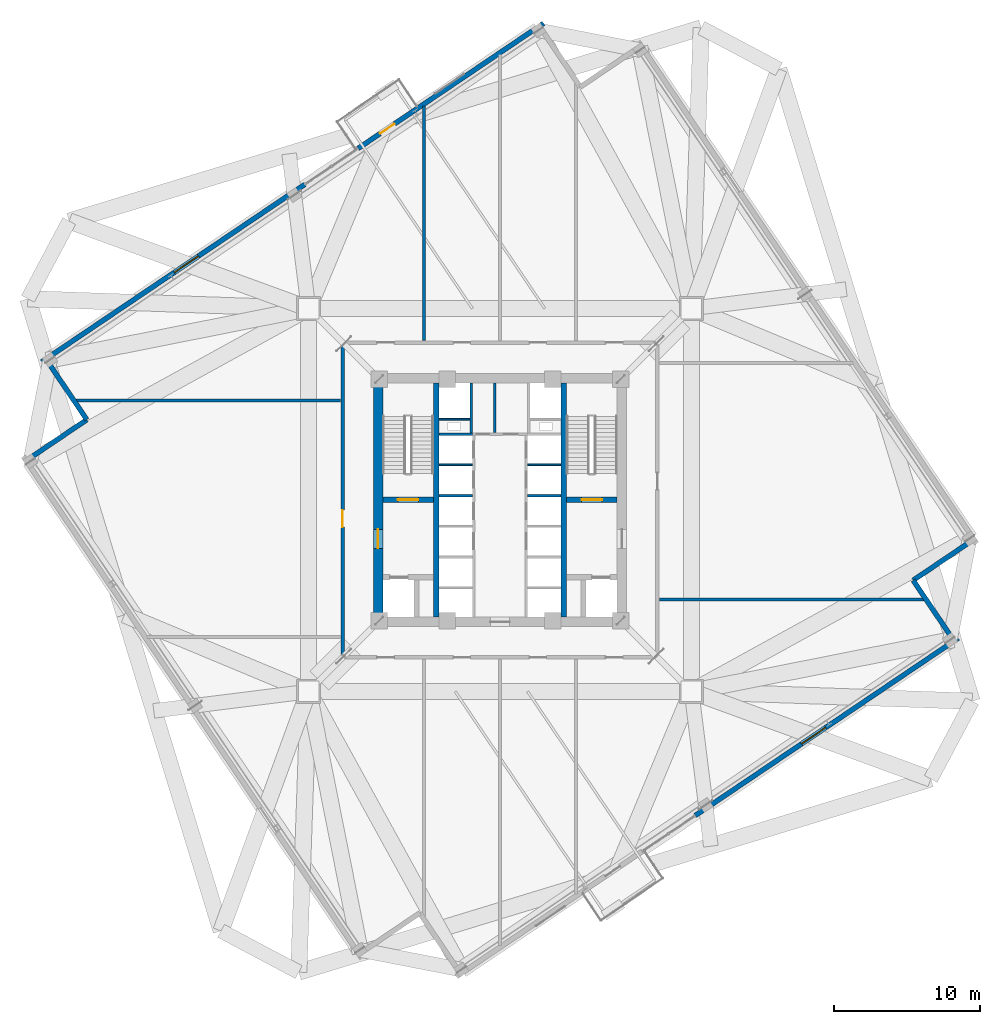
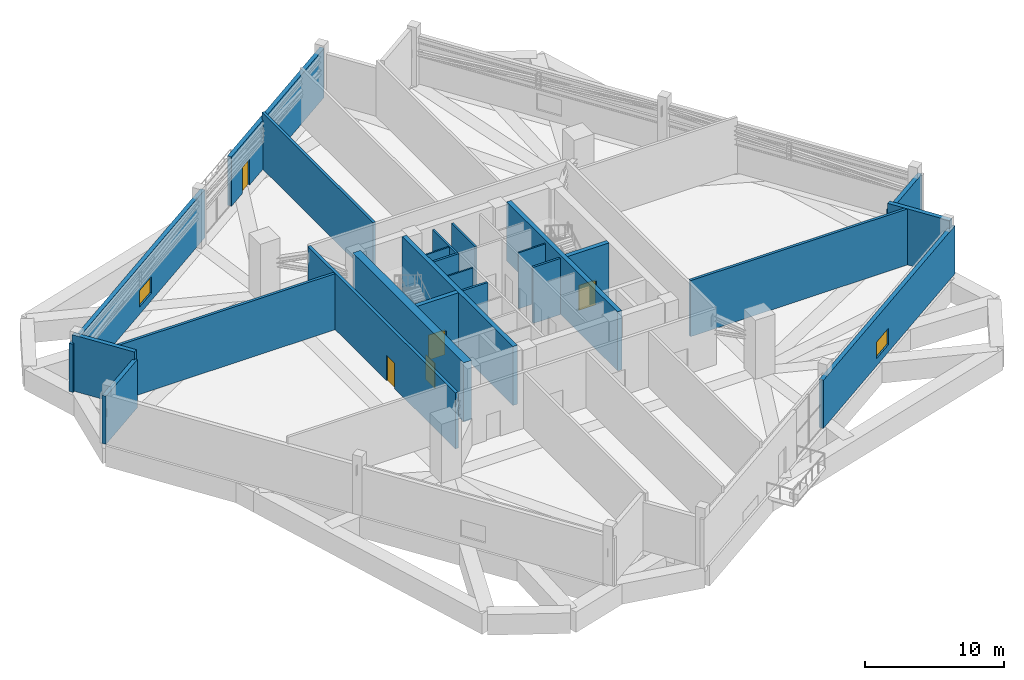
# One storey, part 17 of 21: 24 walls, 5 doors, 2 windows, 7 openings.
"""IFC4 building model written with IfcOpenShell, lengths in metres."""

from ifc_helpers import new_model, si_unit, direction, frame, frame_2d, origin, place, context, subcontext, project, spatial, rectangle, extrude, source, transform, mapped, material, layer, layer_set, type_object, element, fill, save


model = new_model("IFC4")

# Units and contexts
model_context = context("Model", 3, precision=1e-05, world=origin(), true_north=direction((0.0, 1.0)))
body_context = subcontext(model_context, "Body", "Model", "MODEL_VIEW")
ifc_project = project(units=[si_unit("LENGTHUNIT", "METRE"), si_unit("AREAUNIT", "SQUARE_METRE"), si_unit("VOLUMEUNIT", "CUBIC_METRE"), si_unit("PLANEANGLEUNIT", "RADIAN"), si_unit("MASSUNIT", "GRAM", prefix="KILO"), si_unit("THERMODYNAMICTEMPERATUREUNIT", "KELVIN")], contexts=[model_context])

# Site, building, storey
site_placement = place(None, origin())
site = spatial("IfcSite", under=ifc_project, at=site_placement, CompositionType="ELEMENT")
building_placement = place(site_placement, origin())
building = spatial("IfcBuilding", under=site, at=building_placement, Name="Kosmvard Interchange Tower", CompositionType="ELEMENT")
storey_placement = place(building_placement, frame((0.0, 0.0, 139.199951171875)))
storey = spatial("IfcBuildingStorey", under=building, at=storey_placement, Name="L33", CompositionType="ELEMENT", Elevation=139.199951171875)

# Walls
ifc_material_1 = material(Name="Fire-rated gypsum partition system")
ifc_layer_1 = layer(ifc_material_1, 0.159912109375, Name="Fire-rated gypsum partition system")
ifc_layer_set_1 = layer_set([ifc_layer_1], Name="Fire-rated gypsum partition system")
wall_type_1 = type_object("IfcWallType", Name="Core Compartment & Shuttle Lobby Partition 160", PredefinedType="PARTITIONING", material=ifc_layer_set_1)
wall_1_placement = place(storey_placement, frame((-1.9599609375, 4.580078125, 0.0), z_axis=(0.0, 0.0, 1.0), x_axis=(0.0, 1.0, 0.0)))
element("IfcWall", 1, at=wall_1_placement, inside=storey, type_object=wall_type_1, Name="L33 North Core West Wall", PredefinedType="PARTITIONING", context=body_context, shape_type="SweptSolid", body=[
    extrude(rectangle(XDim=3.39990234375, YDim=0.159912109375, at=frame_2d((1.699951171875, 0.0))), origin(), (0.0, 0.0, 1.0), 4.93994140625),
])
ifc_material_2 = material(Name="Concrete blockwork masonry", Category="masonry")
ifc_layer_2 = layer(ifc_material_2, 0.159912109375, Name="Concrete blockwork masonry")
ifc_layer_set_2 = layer_set([ifc_layer_2], Name="Concrete blockwork masonry")
wall_type_2 = type_object("IfcWallType", Name="Core Enclosure Split Wall 160", PredefinedType="PARTITIONING", material=ifc_layer_set_2)
wall_2_placement = place(storey_placement, frame((-0.35009765625, 4.60009765625, 0.0), z_axis=(0.0, 0.0, 1.0), x_axis=(0.0, 1.0, 0.0)))
element("IfcWall", 2, at=wall_2_placement, inside=storey, type_object=wall_type_2, Name="L33 Core K2 Split Wall", PredefinedType="PARTITIONING", context=body_context, shape_type="SweptSolid", body=[
    extrude(rectangle(XDim=3.3798828125, YDim=0.159912109375, at=frame_2d((1.68994140625, 0.0))), origin(), (0.0, 0.0, 1.0), 4.93994140625),
])

# Wall, opening, door
ifc_layer_3 = layer(ifc_material_2, 0.25, Name="Concrete blockwork masonry")
ifc_layer_set_3 = layer_set([ifc_layer_3], Name="Concrete blockwork masonry")
wall_type_3 = type_object("IfcWallType", Name="Exit Passage & Firefighting Lobby Wall 250", PredefinedType="PARTITIONING", material=ifc_layer_set_3)
wall_3_placement = place(storey_placement, frame((-10.75, -10.64990234375, 0.0), z_axis=(0.0, 0.0, 1.0), x_axis=(0.0, 1.0, 0.0)))
wall_3 = element("IfcWall", 3, at=wall_3_placement, inside=storey, type_object=wall_type_3, Name="L33 Corridor Wall CW", PredefinedType="PARTITIONING", context=body_context, shape_type="SweptSolid", body=[
    extrude(rectangle(XDim=21.2998046875, YDim=0.25, at=frame_2d((10.64990234375, 0.0))), origin(), (0.0, 0.0, 1.0), 4.93994140625),
])
opening_1_placement = place(wall_3_placement, frame((8.800048828125, 0.0, 0.0)))
opening_1 = element("IfcOpeningElement", 4, at=opening_1_placement, cuts=wall_3, Name="Opening L33-D10", PredefinedType="OPENING", context=body_context, shape_type="SweptSolid", body=[
    extrude(rectangle(XDim=1.14990234375, YDim=2.25, at=frame_2d((0.574951171875, 1.125))), frame((0.0, 0.135009765625, 0.0), z_axis=(0.0, -1.0, 0.0), x_axis=(1.0, 0.0, 0.0)), (0.0, 0.0, 1.0), 0.27001953125),
])
ifc_material_3 = material(Name="Painted fire-rated steel leaf", Category="steel")
door_type_1 = type_object("IfcDoorType", Name="Plant & Riser Fire Door 1150x2250 EI60", OperationType="NOTDEFINED", PredefinedType="DOOR", material=ifc_material_3)
shared_shape_1 = source(origin(), body_context, "Body", "SweptSolid", [
    extrude(rectangle(XDim=1.14990234375, YDim=2.25, at=frame_2d((0.574951171875, 1.125))), frame((0.0, 0.02490234375, 0.0), z_axis=(0.0, -1.0, 0.0), x_axis=(1.0, 0.0, 0.0)), (0.0, 0.0, 1.0), 0.050048828125),
])
door_1_placement = place(opening_1_placement, origin())
door_1 = element("IfcDoor", 5, at=door_1_placement, inside=storey, type_object=door_type_1, Name="L33 Refuge Area West Door", OperationType="SINGLE_SWING_RIGHT", OverallHeight=2.25, OverallWidth=1.14990234375, PredefinedType="DOOR", context=body_context, shape_type="MappedRepresentation", body=[
    mapped(shared_shape_1, transform((0.0, 0.0, 0.0), scale=1.0)),
])
fill(opening_1, door_1)

ifc_material_4 = material(Name="Concrete C70/85", Category="concrete")
ifc_layer_4 = layer(ifc_material_4, 0.64990234375, Name="Concrete C70/85")
ifc_layer_set_4 = layer_set([ifc_layer_4], Name="Concrete C70/85")
wall_type_4 = type_object("IfcWallType", Name="Mid Core Shear Wall 650 C70/85", PredefinedType="SHEAR", material=ifc_layer_set_4)
wall_4_placement = place(storey_placement, frame((-8.324951171875, -8.0, 0.0), z_axis=(0.0, 0.0, 1.0), x_axis=(0.0, 1.0, 0.0)))
wall_4 = element("IfcWall", 6, at=wall_4_placement, inside=storey, type_object=wall_type_4, Name="L33 Core Shear Wall CW-W", PredefinedType="SHEAR", context=body_context, shape_type="SweptSolid", body=[
    extrude(rectangle(XDim=16.0, YDim=0.64990234375, at=frame_2d((8.0, 0.0))), origin(), (0.0, 0.0, 1.0), 5.199951171875),
])
opening_2_placement = place(wall_4_placement, frame((4.68994140625, 0.0, 0.0)))
opening_2 = element("IfcOpeningElement", 7, at=opening_2_placement, cuts=wall_4, Name="Opening L33-FD1", PredefinedType="OPENING", context=body_context, shape_type="SweptSolid", body=[
    extrude(rectangle(XDim=1.300048828125, YDim=2.199951171875, at=frame_2d((0.64990234375, 1.10009765625))), frame((0.0, 0.3349609375, 0.0), z_axis=(0.0, -1.0, 0.0), x_axis=(1.0, 0.0, 0.0)), (0.0, 0.0, 1.0), 0.669921875),
])
door_type_2 = type_object("IfcDoorType", Name="Firefighting Lobby Door 1300x2200 EI60", OperationType="NOTDEFINED", PredefinedType="DOOR", material=ifc_material_3)
shared_shape_2 = source(origin(), body_context, "Body", "SweptSolid", [
    extrude(rectangle(XDim=1.300048828125, YDim=2.199951171875, at=frame_2d((0.64990234375, 1.10009765625))), frame((0.0, 0.02490234375, 0.0), z_axis=(0.0, -1.0, 0.0), x_axis=(1.0, 0.0, 0.0)), (0.0, 0.0, 1.0), 0.050048828125),
])
door_2_placement = place(opening_2_placement, frame((1.300048828125, 0.0, 0.0), z_axis=(0.0, 0.0, 1.0), x_axis=(-1.0, 0.0, 0.0)))
door_2 = element("IfcDoor", 8, at=door_2_placement, inside=storey, type_object=door_type_2, Name="L33 Firefighting Lobby West Door", OperationType="SINGLE_SWING_LEFT", OverallHeight=2.199951171875, OverallWidth=1.300048828125, PredefinedType="DOOR", context=body_context, shape_type="MappedRepresentation", body=[
    mapped(shared_shape_2, transform((0.0, 0.0, 0.0), scale=1.0)),
])
fill(opening_2, door_2)

# Walls
ifc_material_5 = material(Name="Precast concrete C45/55", Category="concrete")
ifc_layer_5 = layer(ifc_material_5, 0.340087890625, Name="Precast concrete C45/55")
ifc_layer_set_5 = layer_set([ifc_layer_5], Name="Precast concrete C45/55")
wall_type_5 = type_object("IfcWallType", Name="Mid Tower Precast Pier Wall 340 C45/55", PredefinedType="STANDARD", material=ifc_layer_set_5)
wall_5_placement = place(storey_placement, frame((31.018798828125, -9.631103515625, 0.0), z_axis=(0.0, 0.0, 1.0), x_axis=(-0.559210350234, 0.829025804298, 0.0)))
element("IfcWall", 9, at=wall_5_placement, inside=storey, type_object=wall_type_5, Name="L33 Corner Precast Pier N-SE1", PredefinedType="STANDARD", context=body_context, shape_type="SweptSolid", body=[
    extrude(rectangle(XDim=5.000244140625, YDim=0.340087890625, at=frame_2d((2.5, 0.0))), origin(), (0.0, 0.0, 1.0), 4.93994140625),
])
wall_6_placement = place(storey_placement, frame((28.22265625, -5.48583984375, 0.0), z_axis=(0.0, 0.0, 1.0), x_axis=(0.82905227345, 0.559171107879, 0.0)))
element("IfcWall", 10, at=wall_6_placement, inside=storey, type_object=wall_type_5, Name="L33 Corner Precast Pier N-SE2", PredefinedType="STANDARD", context=body_context, shape_type="SweptSolid", body=[
    extrude(rectangle(XDim=5.169921875, YDim=0.340087890625, at=frame_2d((2.5849609375, 0.0))), origin(), (0.0, 0.0, 1.0), 4.239990234375),
])
wall_7_placement = place(storey_placement, frame((-31.018798828125, 9.631103515625, 0.0), z_axis=(0.0, 0.0, 1.0), x_axis=(0.559210350234, -0.829025804298, 0.0)))
element("IfcWall", 11, at=wall_7_placement, inside=storey, type_object=wall_type_5, Name="L33 Corner Precast Pier N-NW1", PredefinedType="STANDARD", context=body_context, shape_type="SweptSolid", body=[
    extrude(rectangle(XDim=5.000244140625, YDim=0.340087890625, at=frame_2d((2.5, 0.0))), origin(), (0.0, 0.0, 1.0), 4.93994140625),
])
wall_8_placement = place(storey_placement, frame((-28.22265625, 5.48583984375, 0.0), z_axis=(0.0, 0.0, 1.0), x_axis=(-0.82905227345, -0.559171107879, 0.0)))
element("IfcWall", 12, at=wall_8_placement, inside=storey, type_object=wall_type_5, Name="L33 Corner Precast Pier N-NW2", PredefinedType="STANDARD", context=body_context, shape_type="SweptSolid", body=[
    extrude(rectangle(XDim=5.169921875, YDim=0.340087890625, at=frame_2d((2.5849609375, 0.0))), origin(), (0.0, 0.0, 1.0), 4.239990234375),
])

# Wall, opening, window
wall_9_placement = place(storey_placement, frame((13.335205078125, -21.55859375, 0.0), z_axis=(0.0, 0.0, 1.0), x_axis=(0.829039576702, 0.559189932189, 0.0)))
wall_9 = element("IfcWall", 13, at=wall_9_placement, inside=storey, type_object=wall_type_5, Name="L33 Facade Pier Wall SB", PredefinedType="STANDARD", context=body_context, shape_type="SweptSolid", body=[
    extrude(rectangle(XDim=21.670166015625, YDim=0.340087890625, at=frame_2d((10.8349609375, 0.0))), origin(), (0.0, 0.0, 1.0), 4.239990234375),
])
opening_3_placement = place(wall_9_placement, frame((8.75146484375, 0.0, 0.64990234375)))
opening_3 = element("IfcOpeningElement", 14, at=opening_3_placement, cuts=wall_9, Name="Opening L33-WSB", PredefinedType="OPENING", context=body_context, shape_type="SweptSolid", body=[
    extrude(rectangle(XDim=2.0, YDim=1.449951171875, at=frame_2d((1.0, 0.72509765625))), frame((0.0, 0.18017578125, 0.0), z_axis=(0.0, -1.0, 0.0), x_axis=(1.0, 0.0, 0.0)), (0.0, 0.0, 1.0), 0.360107421875),
])
ifc_material_6 = material(Name="Low-E solar-control double glazing", Category="glass")
window_type = type_object("IfcWindowType", Name="Transfer Zone Punched Window 2000x1450", PartitioningType="SINGLE_PANEL", PredefinedType="WINDOW", material=ifc_material_6)
shared_shape_3 = source(origin(), body_context, "Body", "SweptSolid", [
    extrude(rectangle(XDim=2.0, YDim=1.449951171875, at=frame_2d((1.0, 0.72509765625))), frame((0.0, 0.030029296875, 0.0), z_axis=(0.0, -1.0, 0.0), x_axis=(1.0, 0.0, 0.0)), (0.0, 0.0, 1.0), 0.06005859375),
])
window_1_placement = place(opening_3_placement, origin())
window_1 = element("IfcWindow", 15, at=window_1_placement, inside=storey, type_object=window_type, Name="L33 Facade Punched Window SB", OverallHeight=1.449951171875, OverallWidth=2.0, PartitioningType="SINGLE_PANEL", PredefinedType="WINDOW", context=body_context, shape_type="MappedRepresentation", body=[
    mapped(shared_shape_3, transform((0.0, 0.0, 0.0), scale=1.0)),
])
fill(opening_3, window_1)

# Wall, opening, door
wall_10_placement = place(storey_placement, frame((2.971923828125, 32.55810546875, 0.0), z_axis=(0.0, 0.0, 1.0), x_axis=(-0.82903231094, -0.559200704056, 0.0)))
wall_10 = element("IfcWall", 16, at=wall_10_placement, inside=storey, type_object=wall_type_5, Name="L33 Facade Pier Wall NA", PredefinedType="STANDARD", context=body_context, shape_type="SweptSolid", body=[
    extrude(rectangle(XDim=15.27001953125, YDim=0.340087890625, at=frame_2d((7.635009765625, 0.0))), origin(), (0.0, 0.0, 1.0), 4.340087890625),
])
opening_4_placement = place(wall_10_placement, frame((12.27001953125, 0.0, 0.0)))
opening_4 = element("IfcOpeningElement", 17, at=opening_4_placement, cuts=wall_10, Name="Opening L33-TDN", PredefinedType="OPENING", context=body_context, shape_type="SweptSolid", body=[
    extrude(rectangle(XDim=1.199951171875, YDim=2.300048828125, at=frame_2d((0.60009765625, 1.14990234375))), frame((0.0, 0.18017578125, 0.0), z_axis=(0.0, -1.0, 0.0), x_axis=(1.0, 0.0, 0.0)), (0.0, 0.0, 1.0), 0.360107421875),
])
ifc_material_7 = material(Name="Anodised aluminium and safety glass", Category="aluminium")
door_type_3 = type_object("IfcDoorType", Name="Cascade Terrace Glazed Door 1200x2300", OperationType="NOTDEFINED", PredefinedType="DOOR", material=ifc_material_7)
shared_shape_4 = source(origin(), body_context, "Body", "SweptSolid", [
    extrude(rectangle(XDim=1.199951171875, YDim=2.300048828125, at=frame_2d((0.60009765625, 1.14990234375))), frame((0.0, 0.02490234375, 0.0), z_axis=(0.0, -1.0, 0.0), x_axis=(1.0, 0.0, 0.0)), (0.0, 0.0, 1.0), 0.050048828125),
])
door_3_placement = place(opening_4_placement, origin())
door_3 = element("IfcDoor", 18, at=door_3_placement, inside=storey, type_object=door_type_3, Name="L33 Terrace Access Door SKG-L33-N", OperationType="SINGLE_SWING_LEFT", OverallHeight=2.300048828125, OverallWidth=1.199951171875, PredefinedType="DOOR", context=body_context, shape_type="MappedRepresentation", body=[
    mapped(shared_shape_4, transform((0.0, 0.0, 0.0), scale=1.0)),
])
fill(opening_4, door_3)

# Wall, opening, window
wall_11_placement = place(storey_placement, frame((-13.335205078125, 21.55859375, 0.0), z_axis=(0.0, 0.0, 1.0), x_axis=(-0.829039576702, -0.559189932189, 0.0)))
wall_11 = element("IfcWall", 19, at=wall_11_placement, inside=storey, type_object=wall_type_5, Name="L33 Facade Pier Wall NB", PredefinedType="STANDARD", context=body_context, shape_type="SweptSolid", body=[
    extrude(rectangle(XDim=21.670166015625, YDim=0.340087890625, at=frame_2d((10.8349609375, 0.0))), origin(), (0.0, 0.0, 1.0), 4.239990234375),
])
opening_5_placement = place(wall_11_placement, frame((8.75146484375, 0.0, 0.64990234375)))
opening_5 = element("IfcOpeningElement", 20, at=opening_5_placement, cuts=wall_11, Name="Opening L33-WNB", PredefinedType="OPENING", context=body_context, shape_type="SweptSolid", body=[
    extrude(rectangle(XDim=2.0, YDim=1.449951171875, at=frame_2d((1.0, 0.72509765625))), frame((0.0, 0.18017578125, 0.0), z_axis=(0.0, -1.0, 0.0), x_axis=(1.0, 0.0, 0.0)), (0.0, 0.0, 1.0), 0.360107421875),
])
window_2_placement = place(opening_5_placement, origin())
window_2 = element("IfcWindow", 21, at=window_2_placement, inside=storey, type_object=window_type, Name="L33 Facade Punched Window NB", OverallHeight=1.449951171875, OverallWidth=2.0, PartitioningType="SINGLE_PANEL", PredefinedType="WINDOW", context=body_context, shape_type="MappedRepresentation", body=[
    mapped(shared_shape_3, transform((0.0, 0.0, 0.0), scale=1.0)),
])
fill(opening_5, window_2)

# Walls
ifc_layer_6 = layer(ifc_material_2, 0.179931640625, Name="Concrete blockwork masonry")
ifc_layer_set_6 = layer_set([ifc_layer_6], Name="Concrete blockwork masonry")
wall_type_6 = type_object("IfcWallType", Name="Riser & Lift Bank Divider Wall 180", PredefinedType="PARTITIONING", material=ifc_layer_set_6)
for number, where, z_axis, x_axis, name in (
    (22, (-4.169921875, 0.300048828125, 0.0), (0.0, 0.0, 1.0), (1.0, 0.0, 0.0), "L33 West Bank Divider BD2"),
    (23, (1.889892578125, 0.300048828125, 0.0), (0.0, 0.0, 1.0), (1.0, 0.0, 0.0), "L33 East Bank Divider BD2"),
    (24, (-4.169921875, 4.489990234375, 0.0), (0.0, 0.0, 1.0), (1.0, 0.0, 0.0), "L33 West Bank Divider BD3"),
):
    element("IfcWall", number, at=place(storey_placement, frame(where, z_axis=z_axis, x_axis=x_axis)), inside=storey, type_object=wall_type_6, Name=name, PredefinedType="PARTITIONING", context=body_context, shape_type="SweptSolid", body=[
        extrude(rectangle(XDim=2.280029296875, YDim=0.179931640625, at=frame_2d((1.14013671875, 0.0))), origin(), (0.0, 0.0, 1.0), 4.93994140625),
    ])
ifc_layer_7 = layer(ifc_material_2, 0.219970703125, Name="Concrete blockwork masonry")
ifc_layer_set_7 = layer_set([ifc_layer_7], Name="Concrete blockwork masonry")
wall_type_7 = type_object("IfcWallType", Name="Riser & Plant Enclosure Wall 220", PredefinedType="PARTITIONING", material=ifc_layer_set_7)
wall_12_placement = place(storey_placement, frame((-5.199951171875, 10.8798828125, 0.0), z_axis=(0.0, 0.0, 1.0), x_axis=(0.0, 1.0, 0.0)))
element("IfcWall", 25, at=wall_12_placement, inside=storey, type_object=wall_type_7, Name="L33 Room Partition 01.1", PredefinedType="PARTITIONING", context=body_context, shape_type="SweptSolid", body=[
    extrude(rectangle(XDim=16.03955078125, YDim=0.219970703125, at=frame_2d((8.019775390625, 0.0))), origin(), (0.0, 0.0, 1.0), 4.93994140625),
])
for number, where, z_axis, x_axis, name in (
    (26, (10.8798828125, -6.800048828125, 0.0), (0.0, 0.0, 1.0), (1.0, 0.0, 0.0), "L33 Room Partition 05.1"),
    (27, (-10.8798828125, 6.800048828125, 0.0), (0.0, 0.0, 1.0), (-1.0, 0.0, 0.0), "L33 Room Partition 10.1"),
):
    element("IfcWall", number, at=place(storey_placement, frame(where, z_axis=z_axis, x_axis=x_axis)), inside=storey, type_object=wall_type_7, Name=name, PredefinedType="PARTITIONING", context=body_context, shape_type="SweptSolid", body=[
        extrude(rectangle(XDim=18.1025390625, YDim=0.219970703125, at=frame_2d((9.05126953125, 0.0))), origin(), (0.0, 0.0, 1.0), 4.93994140625),
    ])
ifc_material_8 = material(Name="Fire-rated gypsum shaftwall system")
ifc_layer_8 = layer(ifc_material_8, 0.1201171875, Name="Fire-rated gypsum shaftwall system")
ifc_layer_set_8 = layer_set([ifc_layer_8], Name="Fire-rated gypsum shaftwall system")
wall_type_8 = type_object("IfcWallType", Name="Shaft & Riser Fire Partition 120 EI60", PredefinedType="PARTITIONING", material=ifc_layer_set_8)
for number, where, z_axis, x_axis, name in (
    (28, (-4.159912109375, 2.39990234375, 0.0), (0.0, 0.0, 1.0), (1.0, 0.0, 0.0), "L33 Shaft Divider PL-H1"),
    (29, (1.89990234375, 2.39990234375, 0.0), (0.0, 0.0, 1.0), (1.0, 0.0, 0.0), "L33 Shaft Divider PL-H3"),
):
    element("IfcWall", number, at=place(storey_placement, frame(where, z_axis=z_axis, x_axis=x_axis)), inside=storey, type_object=wall_type_8, Name=name, PredefinedType="PARTITIONING", context=body_context, shape_type="SweptSolid", body=[
        extrude(rectangle(XDim=2.260009765625, YDim=0.1201171875, at=frame_2d((1.1298828125, 0.0))), origin(), (0.0, 0.0, 1.0), 4.93994140625),
    ])
wall_13_placement = place(storey_placement, frame((-4.159912109375, 5.52001953125, 0.0), z_axis=(0.0, 0.0, 1.0), x_axis=(1.0, 0.0, 0.0)))
element("IfcWall", 30, at=wall_13_placement, inside=storey, type_object=wall_type_8, Name="L33 Riser Shaft Divider W", PredefinedType="PARTITIONING", context=body_context, shape_type="SweptSolid", body=[
    extrude(rectangle(XDim=2.099853515625, YDim=0.1201171875, at=frame_2d((1.0498046875, 0.0))), origin(), (0.0, 0.0, 1.0), 4.93994140625),
])
ifc_material_9 = material(Name="Concrete C60/75", Category="concrete")
ifc_layer_9 = layer(ifc_material_9, 0.360107421875, Name="Concrete C60/75")
ifc_layer_set_9 = layer_set([ifc_layer_9], Name="Concrete C60/75")
wall_type_9 = type_object("IfcWallType", Name="Stair & Lift Shaft Shear Wall 360 C60/75", PredefinedType="SHEAR", material=ifc_layer_set_9)
for number, where, z_axis, x_axis, name in (
    (31, (-4.360107421875, -8.0, 0.0), (0.0, 0.0, 1.0), (0.0, 1.0, 0.0), "L33 Shaft Shear Wall SW-W"),
    (32, (4.360107421875, -8.0, 0.0), (0.0, 0.0, 1.0), (0.0, 1.0, 0.0), "L33 Shaft Shear Wall SW-E"),
):
    element("IfcWall", number, at=place(storey_placement, frame(where, z_axis=z_axis, x_axis=x_axis)), inside=storey, type_object=wall_type_9, Name=name, PredefinedType="SHEAR", context=body_context, shape_type="SweptSolid", body=[
        extrude(rectangle(XDim=16.0, YDim=0.360107421875, at=frame_2d((8.0, 0.0))), origin(), (0.0, 0.0, 1.0), 5.199951171875),
    ])

# Wall, opening, door
wall_14_placement = place(storey_placement, frame((-8.0, 0.02001953125, 0.0), z_axis=(0.0, 0.0, 1.0), x_axis=(1.0, 0.0, 0.0)))
wall_14 = element("IfcWall", 33, at=wall_14_placement, inside=storey, type_object=wall_type_9, Name="L33 Shaft Shear Wall SW-ST1", PredefinedType="SHEAR", context=body_context, shape_type="SweptSolid", body=[
    extrude(rectangle(XDim=3.4599609375, YDim=0.360107421875, at=frame_2d((1.72998046875, 0.0))), origin(), (0.0, 0.0, 1.0), 5.199951171875),
])
opening_6_placement = place(wall_14_placement, frame((1.030029296875, 0.0, 0.0)))
opening_6 = element("IfcOpeningElement", 34, at=opening_6_placement, cuts=wall_14, Name="Opening L33-SD1", PredefinedType="OPENING", context=body_context, shape_type="SweptSolid", body=[
    extrude(rectangle(XDim=1.39990234375, YDim=2.199951171875, at=frame_2d((0.699951171875, 1.10009765625))), frame((0.0, 0.18994140625, 0.0), z_axis=(0.0, -1.0, 0.0), x_axis=(1.0, 0.0, 0.0)), (0.0, 0.0, 1.0), 0.380126953125),
])
door_type_4 = type_object("IfcDoorType", Name="Protected Stair Door 1400x2200 FD60S", OperationType="NOTDEFINED", PredefinedType="DOOR", material=ifc_material_3)
shared_shape_5 = source(origin(), body_context, "Body", "SweptSolid", [
    extrude(rectangle(XDim=1.39990234375, YDim=2.199951171875, at=frame_2d((0.699951171875, 1.10009765625))), frame((0.0, 0.02490234375, 0.0), z_axis=(0.0, -1.0, 0.0), x_axis=(1.0, 0.0, 0.0)), (0.0, 0.0, 1.0), 0.050048828125),
])
door_4_placement = place(opening_6_placement, origin())
door_4 = element("IfcDoor", 35, at=door_4_placement, inside=storey, type_object=door_type_4, Name="L33 Stair ST-1 Enclosure Door", OperationType="SINGLE_SWING_LEFT", OverallHeight=2.199951171875, OverallWidth=1.39990234375, PredefinedType="DOOR", context=body_context, shape_type="MappedRepresentation", body=[
    mapped(shared_shape_5, transform((0.0, 0.0, 0.0), scale=1.0)),
])
fill(opening_6, door_4)

wall_15_placement = place(storey_placement, frame((4.5400390625, 0.02001953125, 0.0), z_axis=(0.0, 0.0, 1.0), x_axis=(1.0, 0.0, 0.0)))
wall_15 = element("IfcWall", 36, at=wall_15_placement, inside=storey, type_object=wall_type_9, Name="L33 Shaft Shear Wall SW-ST2", PredefinedType="SHEAR", context=body_context, shape_type="SweptSolid", body=[
    extrude(rectangle(XDim=3.4599609375, YDim=0.360107421875, at=frame_2d((1.72998046875, 0.0))), origin(), (0.0, 0.0, 1.0), 5.199951171875),
])
opening_7_placement = place(wall_15_placement, frame((1.030029296875, 0.0, 0.0)))
opening_7 = element("IfcOpeningElement", 37, at=opening_7_placement, cuts=wall_15, Name="Opening L33-SD2", PredefinedType="OPENING", context=body_context, shape_type="SweptSolid", body=[
    extrude(rectangle(XDim=1.39990234375, YDim=2.199951171875, at=frame_2d((0.699951171875, 1.10009765625))), frame((0.0, 0.18994140625, 0.0), z_axis=(0.0, -1.0, 0.0), x_axis=(1.0, 0.0, 0.0)), (0.0, 0.0, 1.0), 0.380126953125),
])
door_5_placement = place(opening_7_placement, origin())
door_5 = element("IfcDoor", 38, at=door_5_placement, inside=storey, type_object=door_type_4, Name="L33 Stair ST-2 Enclosure Door", OperationType="SINGLE_SWING_RIGHT", OverallHeight=2.199951171875, OverallWidth=1.39990234375, PredefinedType="DOOR", context=body_context, shape_type="MappedRepresentation", body=[
    mapped(shared_shape_5, transform((0.0, 0.0, 0.0), scale=1.0)),
])
fill(opening_7, door_5)

save(model, "model.ifc")
